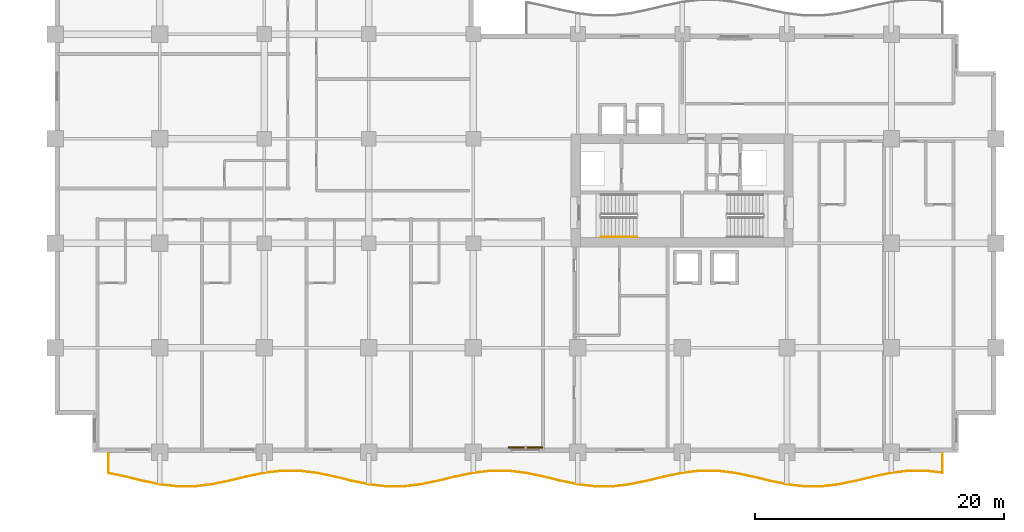
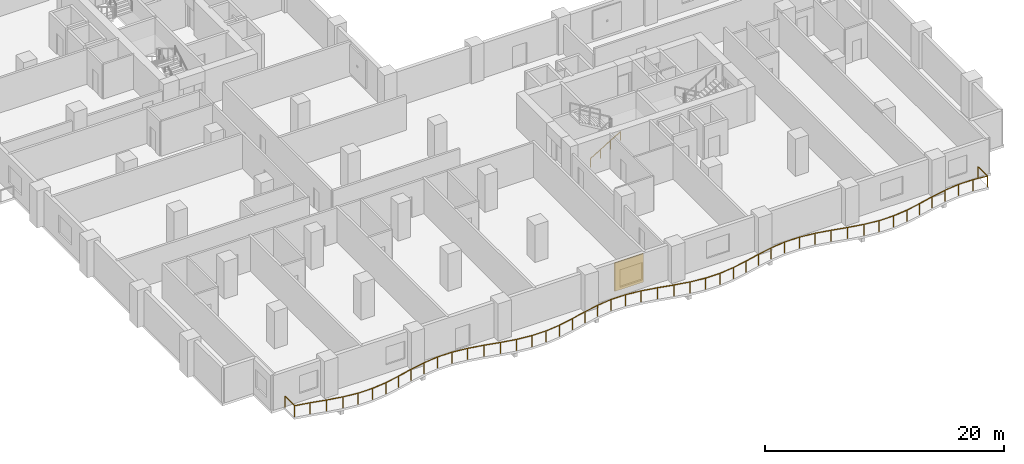
# One storey, part 15 of 18: 2 railings, 1 shading device.
"""IFC4 building model written with IfcOpenShell, lengths in metres."""

from ifc_helpers import new_model, si_unit, direction, frame, origin, origin_2d, place, context, subcontext, project, spatial, rectangle, circle, extrude, material, layer, layer_set, type_object, element, save


model = new_model("IFC4")

# Units and contexts
model_context = context("Model", 3, precision=1e-05, world=origin(), true_north=direction((0.0, 1.0)))
body_context = subcontext(model_context, "Body", "Model", "MODEL_VIEW")
ifc_project = project(units=[si_unit("LENGTHUNIT", "METRE"), si_unit("AREAUNIT", "SQUARE_METRE"), si_unit("VOLUMEUNIT", "CUBIC_METRE"), si_unit("PLANEANGLEUNIT", "RADIAN"), si_unit("MASSUNIT", "GRAM", prefix="KILO")], contexts=[model_context])

# Site, building, storey
site_placement = place(None, origin())
site = spatial("IfcSite", under=ifc_project, at=site_placement, CompositionType="ELEMENT")
building_placement = place(site_placement, origin())
building = spatial("IfcBuilding", under=site, at=building_placement, Name="Koriwani Terraces Tower", CompositionType="ELEMENT")
storey_placement = place(building_placement, frame((0.0, 0.0, 107.60009765625)))
storey = spatial("IfcBuildingStorey", under=building, at=storey_placement, Name="L25", CompositionType="ELEMENT", Elevation=107.60009765625)

# Railings
ifc_material_1 = material(Name="Steel ASTM A572 Grade 50", Category="steel")
railing_type_1 = type_object("IfcRailingType", Name="GUARD_BALUSTRADE_1150", PredefinedType="BALUSTRADE", material=ifc_material_1)
railing_1_placement = place(storey_placement, frame((4.280029296875, -0.080078125, 0.0)))
element("IfcRailing", 1, at=railing_1_placement, inside=storey, type_object=railing_type_1, Name="L25 Balcony Perimeter Safety Balustrade (S)", PredefinedType="BALUSTRADE", context=body_context, shape_type="SweptSolid", body=[
    extrude(circle(Radius=0.02392578125, at=origin_2d()), frame((0.0, 0.0, 1.1259765625), z_axis=(0.0, -1.0, 0.0), x_axis=(1.0, 0.0, 0.0)), (0.0, 0.0, 1.0), 1.59521484375),
    extrude(circle(Radius=0.02392578125, at=origin_2d()), frame((0.0, -1.59521484375, 1.1259765625), z_axis=(0.979025001838, -0.20374014277, 0.0), x_axis=(0.20374014277, 0.979025001838, 0.0)), (0.0, 0.0, 1.0), 1.365966796875),
    extrude(circle(Radius=0.02392578125, at=origin_2d()), frame((1.33740234375, -1.87353515625, 1.1259765625), z_axis=(0.972325709638, -0.233629438166, 0.0), x_axis=(0.233629438166, 0.972325709638, 0.0)), (0.0, 0.0, 1.0), 1.43994140625),
    extrude(circle(Radius=0.02392578125, at=origin_2d()), frame((2.737548828125, -2.2099609375, 1.1259765625), z_axis=(0.979001791719, -0.20385164167, 0.0), x_axis=(0.20385164167, 0.979001791719, 0.0)), (0.0, 0.0, 1.0), 1.42529296875),
    extrude(circle(Radius=0.02392578125, at=origin_2d()), frame((4.1328125, -2.50048828125, 1.1259765625), z_axis=(0.992858697273, -0.119296300234, 0.0), x_axis=(0.119296300234, 0.992858697273, 0.0)), (0.0, 0.0, 1.0), 1.40185546875),
    extrude(circle(Radius=0.02392578125, at=origin_2d()), frame((5.524658203125, -2.667724609375, 1.1259765625), z_axis=(1.0, 0.0, 0.0), x_axis=(0.0, 1.0, 0.0)), (0.0, 0.0, 1.0), 1.390625),
    extrude(circle(Radius=0.02392578125, at=origin_2d()), frame((6.915283203125, -2.667724609375, 1.1259765625), z_axis=(0.992858697273, 0.119296300234, 0.0), x_axis=(-0.119296300234, 0.992858697273, 0.0)), (0.0, 0.0, 1.0), 1.40185546875),
    extrude(circle(Radius=0.02392578125, at=origin_2d()), frame((8.30712890625, -2.50048828125, 1.1259765625), z_axis=(0.979001791719, 0.20385164167, 0.0), x_axis=(-0.20385164167, 0.979001791719, 0.0)), (0.0, 0.0, 1.0), 1.42529296875),
    extrude(circle(Radius=0.02392578125, at=origin_2d()), frame((9.702392578125, -2.2099609375, 1.1259765625), z_axis=(0.972325709638, 0.233629438166, 0.0), x_axis=(-0.233629438166, 0.972325709638, 0.0)), (0.0, 0.0, 1.0), 1.43994140625),
    extrude(circle(Radius=0.02392578125, at=origin_2d()), frame((11.1025390625, -1.87353515625, 1.1259765625), z_axis=(0.979066698056, 0.203539678581, 0.0), x_axis=(-0.203539678581, 0.979066698056, 0.0)), (0.0, 0.0, 1.0), 1.4345703125),
    extrude(circle(Radius=0.02392578125, at=origin_2d()), frame((12.507080078125, -1.58154296875, 1.1259765625), z_axis=(0.992859723616, 0.119287758056, 0.0), x_axis=(-0.119287758056, 0.992859723616, 0.0)), (0.0, 0.0, 1.0), 1.418212890625),
    extrude(circle(Radius=0.02392578125, at=origin_2d()), frame((13.915283203125, -1.412353515625, 1.1259765625), z_axis=(1.0, 0.0, 0.0), x_axis=(0.0, 1.0, 0.0)), (0.0, 0.0, 1.0), 1.409423828125),
    extrude(circle(Radius=0.02392578125, at=origin_2d()), frame((15.32470703125, -1.412353515625, 1.1259765625), z_axis=(0.992859723616, -0.119287758056, 0.0), x_axis=(0.119287758056, 0.992859723616, 0.0)), (0.0, 0.0, 1.0), 1.418212890625),
    extrude(circle(Radius=0.02392578125, at=origin_2d()), frame((16.73291015625, -1.58154296875, 1.1259765625), z_axis=(0.979066698056, -0.203539678581, 0.0), x_axis=(0.203539678581, 0.979066698056, 0.0)), (0.0, 0.0, 1.0), 1.4345703125),
    extrude(circle(Radius=0.02392578125, at=origin_2d()), frame((18.137451171875, -1.87353515625, 1.1259765625), z_axis=(0.972316453264, -0.233667958249, 0.0), x_axis=(0.233667958249, 0.972316453264, 0.0)), (0.0, 0.0, 1.0), 1.439697265625),
    extrude(circle(Radius=0.02392578125, at=origin_2d()), frame((19.537353515625, -2.2099609375, 1.1259765625), z_axis=(0.979008908546, -0.203817459967, 0.0), x_axis=(0.203817459967, 0.979008908546, 0.0)), (0.0, 0.0, 1.0), 1.425537109375),
    extrude(circle(Radius=0.02392578125, at=origin_2d()), frame((20.932861328125, -2.50048828125, 1.1259765625), z_axis=(0.992858697273, -0.119296300234, 0.0), x_axis=(0.119296300234, 0.992858697273, 0.0)), (0.0, 0.0, 1.0), 1.40185546875),
    extrude(circle(Radius=0.02392578125, at=origin_2d()), frame((22.32470703125, -2.667724609375, 1.1259765625), z_axis=(1.0, 0.0, 0.0), x_axis=(0.0, 1.0, 0.0)), (0.0, 0.0, 1.0), 1.390380859375),
    extrude(circle(Radius=0.02392578125, at=origin_2d()), frame((23.715087890625, -2.667724609375, 1.1259765625), z_axis=(0.992861175138, 0.119275676073, 0.0), x_axis=(-0.119275676073, 0.992861175138, 0.0)), (0.0, 0.0, 1.0), 1.402099609375),
    extrude(circle(Radius=0.02392578125, at=origin_2d()), frame((25.107177734375, -2.50048828125, 1.1259765625), z_axis=(0.979001791719, 0.20385164167, 0.0), x_axis=(-0.20385164167, 0.979001791719, 0.0)), (0.0, 0.0, 1.0), 1.42529296875),
    extrude(circle(Radius=0.02392578125, at=origin_2d()), frame((26.50244140625, -2.2099609375, 1.1259765625), z_axis=(0.972325709638, 0.233629438166, 0.0), x_axis=(-0.233629438166, 0.972325709638, 0.0)), (0.0, 0.0, 1.0), 1.43994140625),
    extrude(circle(Radius=0.02392578125, at=origin_2d()), frame((27.902587890625, -1.87353515625, 1.1259765625), z_axis=(0.979066698056, 0.203539678581, 0.0), x_axis=(-0.203539678581, 0.979066698056, 0.0)), (0.0, 0.0, 1.0), 1.4345703125),
    extrude(circle(Radius=0.02392578125, at=origin_2d()), frame((29.30712890625, -1.58154296875, 1.1259765625), z_axis=(0.992857273618, 0.119308148191, 0.0), x_axis=(-0.119308148191, 0.992857273618, 0.0)), (0.0, 0.0, 1.0), 1.41796875),
    extrude(circle(Radius=0.02392578125, at=origin_2d()), frame((30.715087890625, -1.412353515625, 1.1259765625), z_axis=(1.0, 0.0, 0.0), x_axis=(0.0, 1.0, 0.0)), (0.0, 0.0, 1.0), 1.40966796875),
    extrude(circle(Radius=0.02392578125, at=origin_2d()), frame((32.124755859375, -1.412353515625, 1.1259765625), z_axis=(0.992859723616, -0.119287758056, 0.0), x_axis=(0.119287758056, 0.992859723616, 0.0)), (0.0, 0.0, 1.0), 1.418212890625),
    extrude(circle(Radius=0.02392578125, at=origin_2d()), frame((33.532958984375, -1.58154296875, 1.1259765625), z_axis=(0.979066698056, -0.203539678581, 0.0), x_axis=(0.203539678581, 0.979066698056, 0.0)), (0.0, 0.0, 1.0), 1.4345703125),
    extrude(circle(Radius=0.02392578125, at=origin_2d()), frame((34.9375, -1.87353515625, 1.1259765625), z_axis=(0.972316453264, -0.233667958249, 0.0), x_axis=(0.233667958249, 0.972316453264, 0.0)), (0.0, 0.0, 1.0), 1.439697265625),
    extrude(circle(Radius=0.02392578125, at=origin_2d()), frame((36.33740234375, -2.2099609375, 1.1259765625), z_axis=(0.979008908546, -0.203817459967, 0.0), x_axis=(0.203817459967, 0.979008908546, 0.0)), (0.0, 0.0, 1.0), 1.425537109375),
    extrude(circle(Radius=0.02392578125, at=origin_2d()), frame((37.73291015625, -2.50048828125, 1.1259765625), z_axis=(0.992858697273, -0.119296300234, 0.0), x_axis=(0.119296300234, 0.992858697273, 0.0)), (0.0, 0.0, 1.0), 1.40185546875),
    extrude(circle(Radius=0.02392578125, at=origin_2d()), frame((39.124755859375, -2.667724609375, 1.1259765625), z_axis=(1.0, 0.0, 0.0), x_axis=(0.0, 1.0, 0.0)), (0.0, 0.0, 1.0), 1.390380859375),
    extrude(circle(Radius=0.02392578125, at=origin_2d()), frame((40.51513671875, -2.667724609375, 1.1259765625), z_axis=(0.992858697273, 0.119296300234, 0.0), x_axis=(-0.119296300234, 0.992858697273, 0.0)), (0.0, 0.0, 1.0), 1.40185546875),
    extrude(circle(Radius=0.02392578125, at=origin_2d()), frame((41.906982421875, -2.50048828125, 1.1259765625), z_axis=(0.979008908546, 0.203817459967, 0.0), x_axis=(-0.203817459967, 0.979008908546, 0.0)), (0.0, 0.0, 1.0), 1.425537109375),
    extrude(circle(Radius=0.02392578125, at=origin_2d()), frame((43.302490234375, -2.2099609375, 1.1259765625), z_axis=(0.972316453264, 0.233667958249, 0.0), x_axis=(-0.233667958249, 0.972316453264, 0.0)), (0.0, 0.0, 1.0), 1.439697265625),
    extrude(circle(Radius=0.02392578125, at=origin_2d()), frame((44.702392578125, -1.87353515625, 1.1259765625), z_axis=(0.979073746732, 0.203505770089, 0.0), x_axis=(-0.203505770089, 0.979073746732, 0.0)), (0.0, 0.0, 1.0), 1.434814453125),
    extrude(circle(Radius=0.02392578125, at=origin_2d()), frame((46.107177734375, -1.58154296875, 1.1259765625), z_axis=(0.992857273618, 0.119308148191, 0.0), x_axis=(-0.119308148191, 0.992857273618, 0.0)), (0.0, 0.0, 1.0), 1.41796875),
    extrude(circle(Radius=0.02392578125, at=origin_2d()), frame((47.51513671875, -1.412353515625, 1.1259765625), z_axis=(1.0, 0.0, 0.0), x_axis=(0.0, 1.0, 0.0)), (0.0, 0.0, 1.0), 1.40966796875),
    extrude(circle(Radius=0.02392578125, at=origin_2d()), frame((48.9248046875, -1.412353515625, 1.1259765625), z_axis=(0.992857273618, -0.119308148191, 0.0), x_axis=(0.119308148191, 0.992857273618, 0.0)), (0.0, 0.0, 1.0), 1.41796875),
    extrude(circle(Radius=0.02392578125, at=origin_2d()), frame((50.332763671875, -1.58154296875, 1.1259765625), z_axis=(0.979073746732, -0.203505770089, 0.0), x_axis=(0.203505770089, 0.979073746732, 0.0)), (0.0, 0.0, 1.0), 1.434814453125),
    extrude(circle(Radius=0.02392578125, at=origin_2d()), frame((51.737548828125, -1.87353515625, 1.1259765625), z_axis=(0.972316453264, -0.233667958249, 0.0), x_axis=(0.233667958249, 0.972316453264, 0.0)), (0.0, 0.0, 1.0), 1.439697265625),
    extrude(circle(Radius=0.02392578125, at=origin_2d()), frame((53.137451171875, -2.2099609375, 1.1259765625), z_axis=(0.979008908546, -0.203817459967, 0.0), x_axis=(0.203817459967, 0.979008908546, 0.0)), (0.0, 0.0, 1.0), 1.425537109375),
    extrude(circle(Radius=0.02392578125, at=origin_2d()), frame((54.532958984375, -2.50048828125, 1.1259765625), z_axis=(0.992858697273, -0.119296300234, 0.0), x_axis=(0.119296300234, 0.992858697273, 0.0)), (0.0, 0.0, 1.0), 1.40185546875),
    extrude(circle(Radius=0.02392578125, at=origin_2d()), frame((55.9248046875, -2.667724609375, 1.1259765625), z_axis=(1.0, 0.0, 0.0), x_axis=(0.0, 1.0, 0.0)), (0.0, 0.0, 1.0), 1.390380859375),
    extrude(circle(Radius=0.02392578125, at=origin_2d()), frame((57.315185546875, -2.667724609375, 1.1259765625), z_axis=(0.992858697273, 0.119296300234, 0.0), x_axis=(-0.119296300234, 0.992858697273, 0.0)), (0.0, 0.0, 1.0), 1.40185546875),
    extrude(circle(Radius=0.02392578125, at=origin_2d()), frame((58.70703125, -2.50048828125, 1.1259765625), z_axis=(0.979008908546, 0.203817459967, 0.0), x_axis=(-0.203817459967, 0.979008908546, 0.0)), (0.0, 0.0, 1.0), 1.425537109375),
    extrude(circle(Radius=0.02392578125, at=origin_2d()), frame((60.1025390625, -2.2099609375, 1.1259765625), z_axis=(0.972316453264, 0.233667958249, 0.0), x_axis=(-0.233667958249, 0.972316453264, 0.0)), (0.0, 0.0, 1.0), 1.439697265625),
    extrude(circle(Radius=0.02392578125, at=origin_2d()), frame((61.50244140625, -1.87353515625, 1.1259765625), z_axis=(0.979066698056, 0.203539678581, 0.0), x_axis=(-0.203539678581, 0.979066698056, 0.0)), (0.0, 0.0, 1.0), 1.4345703125),
    extrude(circle(Radius=0.02392578125, at=origin_2d()), frame((62.906982421875, -1.58154296875, 1.1259765625), z_axis=(0.992859723616, 0.119287758056, 0.0), x_axis=(-0.119287758056, 0.992859723616, 0.0)), (0.0, 0.0, 1.0), 1.418212890625),
    extrude(circle(Radius=0.02392578125, at=origin_2d()), frame((64.315185546875, -1.412353515625, 1.1259765625), z_axis=(1.0, 0.0, 0.0), x_axis=(0.0, 1.0, 0.0)), (0.0, 0.0, 1.0), 1.40966796875),
    extrude(circle(Radius=0.02392578125, at=origin_2d()), frame((65.724853515625, -1.412353515625, 1.1259765625), z_axis=(0.992886428773, -0.119065274362, 0.0), x_axis=(0.119065274362, 0.992886428773, 0.0)), (0.0, 0.0, 1.0), 1.32470703125),
    extrude(circle(Radius=0.02392578125, at=origin_2d()), frame((67.0400390625, -1.570068359375, 1.1259765625), z_axis=(0.0, 1.0, 0.0), x_axis=(-1.0, 0.0, 0.0)), (0.0, 0.0, 1.0), 1.570068359375),
    extrude(circle(Radius=0.02099609375, at=origin_2d()), origin(), (0.0, 0.0, 1.0), 1.101806640625),
    extrude(circle(Radius=0.02099609375, at=origin_2d()), frame((0.0, -1.59521484375, 0.0)), (0.0, 0.0, 1.0), 1.101806640625),
    extrude(circle(Radius=0.02099609375, at=origin_2d()), frame((1.33740234375, -1.87353515625, 0.0)), (0.0, 0.0, 1.0), 1.101806640625),
    extrude(circle(Radius=0.02099609375, at=origin_2d()), frame((2.737548828125, -2.2099609375, 0.0)), (0.0, 0.0, 1.0), 1.101806640625),
    extrude(circle(Radius=0.02099609375, at=origin_2d()), frame((4.1328125, -2.50048828125, 0.0)), (0.0, 0.0, 1.0), 1.101806640625),
    extrude(circle(Radius=0.02099609375, at=origin_2d()), frame((5.524658203125, -2.667724609375, 0.0)), (0.0, 0.0, 1.0), 1.101806640625),
    extrude(circle(Radius=0.02099609375, at=origin_2d()), frame((6.915283203125, -2.667724609375, 0.0)), (0.0, 0.0, 1.0), 1.101806640625),
    extrude(circle(Radius=0.02099609375, at=origin_2d()), frame((8.30712890625, -2.50048828125, 0.0)), (0.0, 0.0, 1.0), 1.101806640625),
    extrude(circle(Radius=0.02099609375, at=origin_2d()), frame((9.702392578125, -2.2099609375, 0.0)), (0.0, 0.0, 1.0), 1.101806640625),
    extrude(circle(Radius=0.02099609375, at=origin_2d()), frame((11.1025390625, -1.87353515625, 0.0)), (0.0, 0.0, 1.0), 1.101806640625),
    extrude(circle(Radius=0.02099609375, at=origin_2d()), frame((12.507080078125, -1.58154296875, 0.0)), (0.0, 0.0, 1.0), 1.101806640625),
    extrude(circle(Radius=0.02099609375, at=origin_2d()), frame((13.915283203125, -1.412353515625, 0.0)), (0.0, 0.0, 1.0), 1.101806640625),
    extrude(circle(Radius=0.02099609375, at=origin_2d()), frame((15.32470703125, -1.412353515625, 0.0)), (0.0, 0.0, 1.0), 1.101806640625),
    extrude(circle(Radius=0.02099609375, at=origin_2d()), frame((16.73291015625, -1.58154296875, 0.0)), (0.0, 0.0, 1.0), 1.101806640625),
    extrude(circle(Radius=0.02099609375, at=origin_2d()), frame((18.137451171875, -1.87353515625, 0.0)), (0.0, 0.0, 1.0), 1.101806640625),
    extrude(circle(Radius=0.02099609375, at=origin_2d()), frame((19.537353515625, -2.2099609375, 0.0)), (0.0, 0.0, 1.0), 1.101806640625),
    extrude(circle(Radius=0.02099609375, at=origin_2d()), frame((20.932861328125, -2.50048828125, 0.0)), (0.0, 0.0, 1.0), 1.101806640625),
    extrude(circle(Radius=0.02099609375, at=origin_2d()), frame((22.32470703125, -2.667724609375, 0.0)), (0.0, 0.0, 1.0), 1.101806640625),
    extrude(circle(Radius=0.02099609375, at=origin_2d()), frame((23.715087890625, -2.667724609375, 0.0)), (0.0, 0.0, 1.0), 1.101806640625),
    extrude(circle(Radius=0.02099609375, at=origin_2d()), frame((25.107177734375, -2.50048828125, 0.0)), (0.0, 0.0, 1.0), 1.101806640625),
    extrude(circle(Radius=0.02099609375, at=origin_2d()), frame((26.50244140625, -2.2099609375, 0.0)), (0.0, 0.0, 1.0), 1.101806640625),
    extrude(circle(Radius=0.02099609375, at=origin_2d()), frame((27.902587890625, -1.87353515625, 0.0)), (0.0, 0.0, 1.0), 1.101806640625),
    extrude(circle(Radius=0.02099609375, at=origin_2d()), frame((29.30712890625, -1.58154296875, 0.0)), (0.0, 0.0, 1.0), 1.101806640625),
    extrude(circle(Radius=0.02099609375, at=origin_2d()), frame((30.715087890625, -1.412353515625, 0.0)), (0.0, 0.0, 1.0), 1.101806640625),
    extrude(circle(Radius=0.02099609375, at=origin_2d()), frame((32.124755859375, -1.412353515625, 0.0)), (0.0, 0.0, 1.0), 1.101806640625),
    extrude(circle(Radius=0.02099609375, at=origin_2d()), frame((33.532958984375, -1.58154296875, 0.0)), (0.0, 0.0, 1.0), 1.101806640625),
    extrude(circle(Radius=0.02099609375, at=origin_2d()), frame((34.9375, -1.87353515625, 0.0)), (0.0, 0.0, 1.0), 1.101806640625),
    extrude(circle(Radius=0.02099609375, at=origin_2d()), frame((36.33740234375, -2.2099609375, 0.0)), (0.0, 0.0, 1.0), 1.101806640625),
    extrude(circle(Radius=0.02099609375, at=origin_2d()), frame((37.73291015625, -2.50048828125, 0.0)), (0.0, 0.0, 1.0), 1.101806640625),
    extrude(circle(Radius=0.02099609375, at=origin_2d()), frame((39.124755859375, -2.667724609375, 0.0)), (0.0, 0.0, 1.0), 1.101806640625),
    extrude(circle(Radius=0.02099609375, at=origin_2d()), frame((40.51513671875, -2.667724609375, 0.0)), (0.0, 0.0, 1.0), 1.101806640625),
    extrude(circle(Radius=0.02099609375, at=origin_2d()), frame((41.906982421875, -2.50048828125, 0.0)), (0.0, 0.0, 1.0), 1.101806640625),
    extrude(circle(Radius=0.02099609375, at=origin_2d()), frame((43.302490234375, -2.2099609375, 0.0)), (0.0, 0.0, 1.0), 1.101806640625),
    extrude(circle(Radius=0.02099609375, at=origin_2d()), frame((44.702392578125, -1.87353515625, 0.0)), (0.0, 0.0, 1.0), 1.101806640625),
    extrude(circle(Radius=0.02099609375, at=origin_2d()), frame((46.107177734375, -1.58154296875, 0.0)), (0.0, 0.0, 1.0), 1.101806640625),
    extrude(circle(Radius=0.02099609375, at=origin_2d()), frame((47.51513671875, -1.412353515625, 0.0)), (0.0, 0.0, 1.0), 1.101806640625),
    extrude(circle(Radius=0.02099609375, at=origin_2d()), frame((48.9248046875, -1.412353515625, 0.0)), (0.0, 0.0, 1.0), 1.101806640625),
    extrude(circle(Radius=0.02099609375, at=origin_2d()), frame((50.332763671875, -1.58154296875, 0.0)), (0.0, 0.0, 1.0), 1.101806640625),
    extrude(circle(Radius=0.02099609375, at=origin_2d()), frame((51.737548828125, -1.87353515625, 0.0)), (0.0, 0.0, 1.0), 1.101806640625),
    extrude(circle(Radius=0.02099609375, at=origin_2d()), frame((53.137451171875, -2.2099609375, 0.0)), (0.0, 0.0, 1.0), 1.101806640625),
    extrude(circle(Radius=0.02099609375, at=origin_2d()), frame((54.532958984375, -2.50048828125, 0.0)), (0.0, 0.0, 1.0), 1.101806640625),
    extrude(circle(Radius=0.02099609375, at=origin_2d()), frame((55.9248046875, -2.667724609375, 0.0)), (0.0, 0.0, 1.0), 1.101806640625),
    extrude(circle(Radius=0.02099609375, at=origin_2d()), frame((57.315185546875, -2.667724609375, 0.0)), (0.0, 0.0, 1.0), 1.101806640625),
    extrude(circle(Radius=0.02099609375, at=origin_2d()), frame((58.70703125, -2.50048828125, 0.0)), (0.0, 0.0, 1.0), 1.101806640625),
    extrude(circle(Radius=0.02099609375, at=origin_2d()), frame((60.1025390625, -2.2099609375, 0.0)), (0.0, 0.0, 1.0), 1.101806640625),
    extrude(circle(Radius=0.02099609375, at=origin_2d()), frame((61.50244140625, -1.87353515625, 0.0)), (0.0, 0.0, 1.0), 1.101806640625),
    extrude(circle(Radius=0.02099609375, at=origin_2d()), frame((62.906982421875, -1.58154296875, 0.0)), (0.0, 0.0, 1.0), 1.101806640625),
    extrude(circle(Radius=0.02099609375, at=origin_2d()), frame((64.315185546875, -1.412353515625, 0.0)), (0.0, 0.0, 1.0), 1.101806640625),
    extrude(circle(Radius=0.02099609375, at=origin_2d()), frame((65.724853515625, -1.412353515625, 0.0)), (0.0, 0.0, 1.0), 1.101806640625),
    extrude(circle(Radius=0.02099609375, at=origin_2d()), frame((67.0400390625, -1.570068359375, 0.0)), (0.0, 0.0, 1.0), 1.101806640625),
    extrude(circle(Radius=0.02099609375, at=origin_2d()), frame((67.0400390625, 0.0, 0.0)), (0.0, 0.0, 1.0), 1.101806640625),
])
railing_type_2 = type_object("IfcRailingType", Name="HANDRAIL_STAIR_920", PredefinedType="HANDRAIL", material=ifc_material_1)
railing_2_placement = place(storey_placement, frame((43.85009765625, 17.300048828125, 0.172607421875)))
element("IfcRailing", 2, at=railing_2_placement, inside=storey, type_object=railing_type_2, Name="L25 ST-E1 stair handrail 1", PredefinedType="HANDRAIL", context=body_context, shape_type="SweptSolid", body=[
    extrude(circle(Radius=0.02392578125, at=origin_2d()), frame((0.0, 0.0, 0.8759765625), z_axis=(0.859141464434, 0.0, 0.511738159696), x_axis=(0.0, 1.0, 0.0)), (0.0, 0.0, 1.0), 3.375244140625),
    extrude(circle(Radius=0.02099609375, at=origin_2d()), origin(), (0.0, 0.0, 1.0), 0.851806640625),
    extrude(circle(Radius=0.02099609375, at=origin_2d()), frame((0.966552734375, 0.0, 0.57568359375)), (0.0, 0.0, 1.0), 0.851806640625),
    extrude(circle(Radius=0.02099609375, at=origin_2d()), frame((1.933349609375, 0.0, 1.151611328125)), (0.0, 0.0, 1.0), 0.851806640625),
    extrude(circle(Radius=0.02099609375, at=origin_2d()), frame((2.89990234375, 0.0, 1.727294921875)), (0.0, 0.0, 1.0), 0.851806640625),
])

# Shading device
ifc_material_2 = material(Name="Extruded Terracotta Clay", Category="masonry")
ifc_layer = layer(ifc_material_2, 0.1201171875, Name="Extruded Terracotta Clay")
ifc_layer_set = layer_set([ifc_layer], Name="Extruded Terracotta Clay")
shading_device_type = type_object("IfcShadingDeviceType", Name="TERRACOTTA_BAGUETTE_SCREEN_2800", PredefinedType="USERDEFINED", material=ifc_layer_set)
shading_device_placement = place(storey_placement, frame((37.800048828125, 0.405029296875, 0.324951171875), z_axis=(0.0, 0.0, 1.0), x_axis=(-1.0, 0.0, 0.0)))
element("IfcShadingDevice", 3, at=shading_device_placement, inside=storey, type_object=shading_device_type, Name="L25 Extruded Terracotta Baguette Screen (S-12)", ObjectType="BAGUETTE", PredefinedType="USERDEFINED", context=body_context, shape_type="SweptSolid", body=[
    extrude(rectangle(XDim=2.760009765625, YDim=0.1201171875, at=origin_2d()), origin(), (0.0, 0.0, 1.0), 2.89990234375),
])

save(model, "model.ifc")
